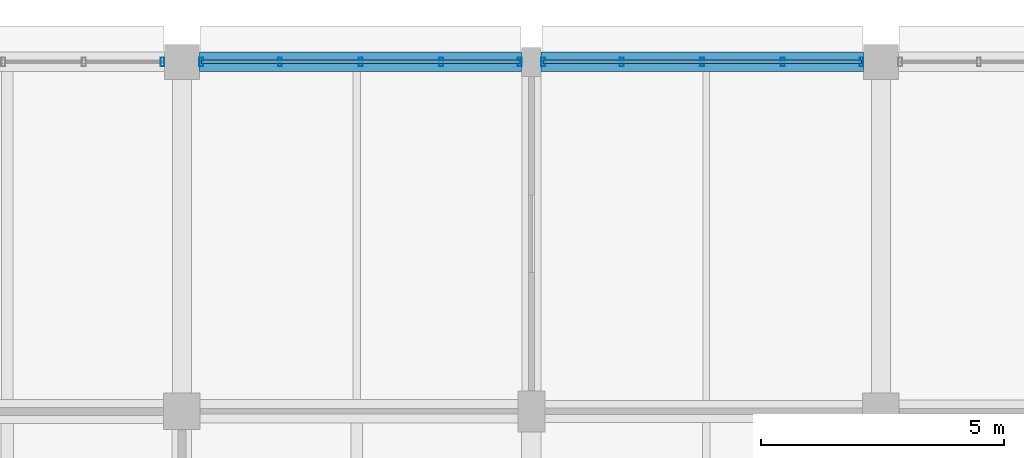
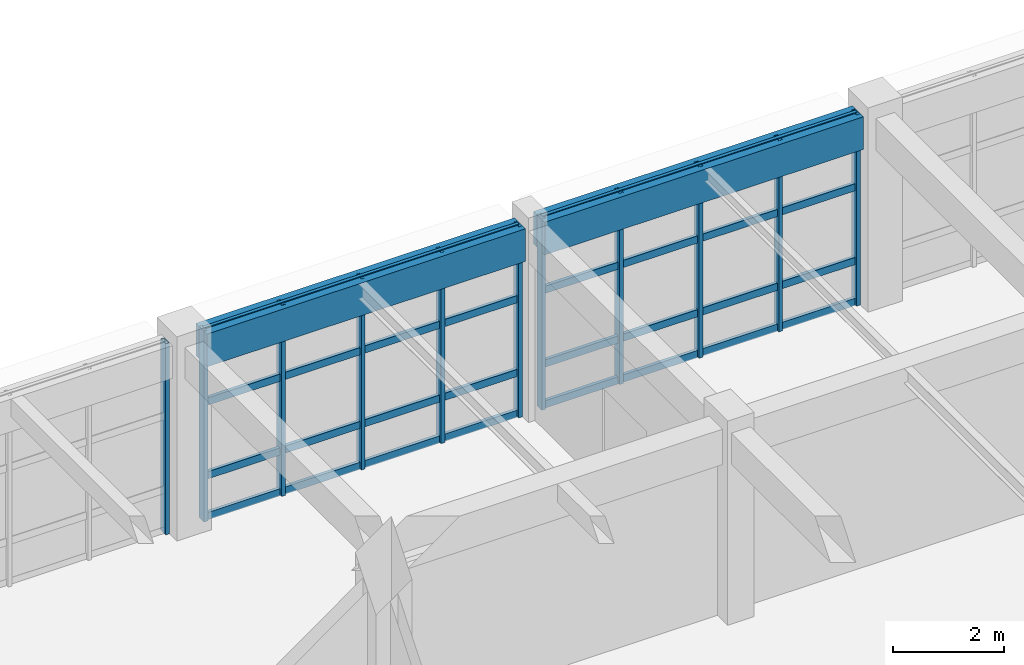
# One storey, part 79 of 171: 19 members, 2 beams, 3 elements without a shape of their own.
"""IFC4 building model written with IfcOpenShell, lengths in metres."""

import ifcopenshell
import ifcopenshell.guid

model = None  # the IFC model being written
_history = None  # IfcOwnerHistory: only IFC2X3 demands one
_inside = {}  # id of a spatial element -> (the spatial element, [elements in it])
_under = {}  # id of a project, library or spatial element -> (it, [spatial elements below it])
_declared = {}  # id of a project -> (the project, [libraries it declares])
_typed = {}  # id of a type object -> (the type object, [elements of that type])
_made_of = {}  # id of a material, layer set ... -> (it, [elements and type objects made of it])


def new_model(schema):
    """Start an empty IFC model of exactly this schema.

    Asked for "IFC4X3", IfcOpenShell would pick the latest addendum, in which some entities
    have other attributes; the version numbers below select the first issue.
    IFC2X3 requires an IfcOwnerHistory on every rooted entity: one is made here for all.
    """
    global model, _history
    if schema == "IFC4X3":
        model = ifcopenshell.file(schema_version=(4, 3, 0, 0))
    else:
        model = ifcopenshell.file(schema=schema)
    _inside.clear()
    _under.clear()
    _declared.clear()
    _typed.clear()
    _made_of.clear()
    _history = None
    if model.schema == "IFC2X3":
        org = make("IfcOrganization", Name="unknown")
        user = make(
            "IfcPersonAndOrganization",
            ThePerson=make("IfcPerson", FamilyName="unknown"),
            TheOrganization=org,
        )
        app = make(
            "IfcApplication",
            ApplicationDeveloper=org,
            Version="unknown",
            ApplicationFullName="unknown",
            ApplicationIdentifier="unknown",
        )
        _history = make(
            "IfcOwnerHistory",
            OwningUser=user,
            OwningApplication=app,
            ChangeAction="ADDED",
            CreationDate=0,
        )
    return model


def make(cls, **values):
    """One entity of the class cls with the attributes given. An attribute that is None is left unset."""
    return model.create_entity(
        cls, **{name: value for name, value in values.items() if value is not None}
    )


def rooted(cls, **values):
    """An entity with a GlobalId (a new one), such as an element, a storey or a relation."""
    return make(cls, GlobalId=ifcopenshell.guid.new(), OwnerHistory=_history, **values)


def si_unit(unit_type, name, prefix=None):
    """IfcSIUnit, for example si_unit("LENGTHUNIT", "METRE", prefix="MILLI")."""
    return make("IfcSIUnit", UnitType=unit_type, Prefix=prefix, Name=name)


def assignment(units):
    """IfcUnitAssignment: the units of a project."""
    return None if units is None else make("IfcUnitAssignment", Units=units)


def point(xyz):
    """IfcCartesianPoint."""
    return None if xyz is None else make("IfcCartesianPoint", Coordinates=xyz)


def direction(xyz):
    """IfcDirection."""
    return None if xyz is None else make("IfcDirection", DirectionRatios=xyz)


def frame(location, z_axis=None, x_axis=None):
    """IfcAxis2Placement3D, a coordinate frame: its origin and axes. An axis left out is left unset."""
    return make(
        "IfcAxis2Placement3D",
        Location=point(location),
        Axis=direction(z_axis),
        RefDirection=direction(x_axis),
    )


def frame_2d(location, x_axis=None):
    """IfcAxis2Placement2D, a coordinate frame in the plane: its origin and x axis."""
    return make(
        "IfcAxis2Placement2D", Location=point(location), RefDirection=direction(x_axis)
    )


def origin():
    """The frame at (0, 0, 0) with its axes left unset."""
    return frame((0.0, 0.0, 0.0))


def origin_2d():
    """The frame at (0, 0) in the plane with its x axis left unset."""
    return frame_2d((0.0, 0.0))


def place(relative_to, where):
    """IfcLocalPlacement: puts the frame where relative to a parent placement (None: the world)."""
    return make(
        "IfcLocalPlacement", PlacementRelTo=relative_to, RelativePlacement=where
    )


def context(
    kind, dimensions, precision=None, world=None, true_north=None, identifier=None
):
    """IfcGeometricRepresentationContext, for example the 3D "Model" context."""
    return make(
        "IfcGeometricRepresentationContext",
        ContextIdentifier=identifier,
        ContextType=kind,
        CoordinateSpaceDimension=dimensions,
        Precision=precision,
        WorldCoordinateSystem=world,
        TrueNorth=true_north,
    )


def subcontext(parent, identifier, kind, view, scale=None):
    """IfcGeometricRepresentationSubContext, for example "Body" below "Model"."""
    return make(
        "IfcGeometricRepresentationSubContext",
        ContextIdentifier=identifier,
        ContextType=kind,
        ParentContext=parent,
        TargetScale=scale,
        TargetView=view,
    )


def project(units=None, contexts=None):
    """IfcProject with its units and contexts."""
    return rooted(
        "IfcProject",
        Name="project",
        RepresentationContexts=contexts,
        UnitsInContext=assignment(units),
    )


def spatial(cls, under=None, at=None, **own):
    """A site, building, storey or space (cls), placed at a placement, below another one or the project."""
    s = rooted(cls, ObjectPlacement=at, **own)
    if under is not None:
        _under.setdefault(under.id(), (under, []))[1].append(s)
    return s


def profile(cls, at=None, kind="AREA", **sizes):
    """A parametric profile (cls). Its sizes go by their IFC names, for example OverallWidth=200.0."""
    return make(cls, ProfileType=kind, Position=at, **sizes)


def rectangle(**sizes):
    """IfcRectangleProfileDef."""
    return profile("IfcRectangleProfileDef", **sizes)


def hollow_rectangle(**sizes):
    """IfcRectangleHollowProfileDef."""
    return profile("IfcRectangleHollowProfileDef", **sizes)


def extrude(swept, where, along, depth):
    """IfcExtrudedAreaSolid: the profile swept, set in the frame where, extruded along a direction by depth."""
    return make(
        "IfcExtrudedAreaSolid",
        SweptArea=swept,
        Position=where,
        ExtrudedDirection=direction(along),
        Depth=depth,
    )


def shape(context_of_items, identifier, shape_type, items):
    """IfcShapeRepresentation: the items that make up one representation, for example the "Body"."""
    return make(
        "IfcShapeRepresentation",
        ContextOfItems=context_of_items,
        RepresentationIdentifier=identifier,
        RepresentationType=shape_type,
        Items=items,
    )


def material(Name=None, Category=None):
    """IfcMaterial."""
    return make("IfcMaterial", Name=Name, Category=Category)


def material_profile(
    of_material, cross_section, Name=None, Category=None, Priority=None
):
    """IfcMaterialProfile: a cross section and its material."""
    return make(
        "IfcMaterialProfile",
        Name=Name,
        Material=of_material,
        Profile=cross_section,
        Priority=Priority,
        Category=Category,
    )


def profile_set(profiles, Name=None, composite=None):
    """IfcMaterialProfileSet."""
    return make(
        "IfcMaterialProfileSet",
        Name=Name,
        MaterialProfiles=profiles,
        CompositeProfile=composite,
    )


def made_of(thing, what):
    """Note that an element or type object is made of a material, layer set ...; save() writes the relation."""
    if what is not None:
        _made_of.setdefault(what.id(), (what, []))[1].append(thing)
    return thing


def type_object(cls, material=None, **own):
    """A type object (cls), such as IfcWallType, which elements share."""
    return made_of(rooted(cls, **own), material)


def element(
    cls,
    number,
    at=None,
    inside=None,
    cuts=None,
    type_object=None,
    material=None,
    context=None,
    identifier="Body",
    shape_type=None,
    held_by="IfcProductDefinitionShape",
    body=None,
    shapes=None,
    **own,
):
    """One element of the class cls, such as IfcWall. Its Tag is "e" and its number.

    at: its placement. inside: the storey or other place that contains it. cuts: it is an
    opening in that element (IfcRelVoidsElement). A single representation is given by context,
    identifier, shape_type and body (its items); several are given by shapes. held_by: the class
    of the entity that holds the representations. save() writes the other relations.
    """
    e = rooted(cls, Tag="e%d" % number, ObjectPlacement=at, **own)
    if body is not None:
        shapes = [shape(context, identifier, shape_type, body)]
    if shapes is not None:
        e.Representation = make(held_by, Representations=shapes)
    if inside is not None:
        _inside.setdefault(inside.id(), (inside, []))[1].append(e)
    if cuts is not None:
        rooted(
            "IfcRelVoidsElement", RelatingBuildingElement=cuts, RelatedOpeningElement=e
        )
    if type_object is not None:
        _typed.setdefault(type_object.id(), (type_object, []))[1].append(e)
    return made_of(e, material)


def aggregate(whole, parts):
    """IfcRelAggregates: a whole, such as a stair, and the parts it consists of."""
    return rooted("IfcRelAggregates", RelatingObject=whole, RelatedObjects=parts)


def save(model, path):
    """Write the relations noted so far, then the file.

    IfcRelAggregates (storeys below a building ...), IfcRelContainedInSpatialStructure (elements
    in a storey), IfcRelDefinesByType, IfcRelAssociatesMaterial and IfcRelDeclares: one each for
    every whole, place, type object, material and project.
    """
    for whole, parts in _under.values():
        aggregate(whole, parts)
    for where, things in _inside.values():
        rooted(
            "IfcRelContainedInSpatialStructure",
            RelatedElements=things,
            RelatingStructure=where,
        )
    for kind, things in _typed.values():
        rooted("IfcRelDefinesByType", RelatedObjects=things, RelatingType=kind)
    for what, things in _made_of.values():
        rooted("IfcRelAssociatesMaterial", RelatedObjects=things, RelatingMaterial=what)
    for by, libraries in _declared.values():
        rooted("IfcRelDeclares", RelatingContext=by, RelatedDefinitions=libraries)
    model.write(path)


model = new_model("IFC4")

# Units and contexts
model_context = context("Model", 3, precision=1e-05, world=origin(), true_north=direction((0.0, 1.0)))
body_context = subcontext(model_context, "Body", "Model", "MODEL_VIEW")
ifc_project = project(units=[si_unit("LENGTHUNIT", "METRE"), si_unit("AREAUNIT", "SQUARE_METRE"), si_unit("VOLUMEUNIT", "CUBIC_METRE"), si_unit("PLANEANGLEUNIT", "RADIAN"), si_unit("MASSUNIT", "GRAM", prefix="KILO")], contexts=[model_context])

# Site, building, storey
site_placement = place(None, origin())
site = spatial("IfcSite", under=ifc_project, at=site_placement, CompositionType="ELEMENT")
building_placement = place(site_placement, origin())
building = spatial("IfcBuilding", under=site, at=building_placement, Name="Thalmaran Polytechnic", CompositionType="ELEMENT")
storey_placement = place(building_placement, frame((0.0, 0.0, 5.39990234375)))
storey = spatial("IfcBuildingStorey", under=building, at=storey_placement, Name="L01", CompositionType="ELEMENT", Elevation=5.39990234375)

# Beams
ifc_material_1 = material(Name="Concrete C40/50", Category="concrete")
ifc_material_profile_1 = material_profile(ifc_material_1, rectangle(XDim=0.39990234375, YDim=0.719970703125, at=origin_2d()), Name="RC 400x720")
ifc_profile_set_1 = profile_set([ifc_material_profile_1], Name="Concrete C40/50")
beam_type = type_object("IfcBeamType", Name="BM-SP01", PredefinedType="SPANDREL", material=ifc_profile_set_1)
for number, where, z_axis, x_axis, name in (
    (1, (65.159912109375, 122.39990234375, 3.85009765625), (1.0, 0.0, 0.0), (0.0, 1.0, 0.0), "Grid Beam SP01 L01 X(9,17)"),
    (2, (72.199951171875, 122.39990234375, 3.85009765625), (1.0, 0.0, 0.0), (0.0, 1.0, 0.0), "Grid Beam SP01 L01 X(10,17)"),
):
    element("IfcBeam", number, at=place(storey_placement, frame(where, z_axis=z_axis, x_axis=x_axis)), inside=storey, type_object=beam_type, Name=name, PredefinedType="SPANDREL", context=body_context, shape_type="SweptSolid", body=[
        extrude(rectangle(XDim=0.39990234375, YDim=0.719970703125, at=origin_2d()), origin(), (0.0, 0.0, 1.0), 6.64013671875),
    ])

# Curtain wall, member
ifc_material_2 = material(Name="Aluminium 6063-T6", Category="aluminium")
curtain_wall_type = type_object("IfcCurtainWallType", Name="CW-UC02", PredefinedType="USERDEFINED", material=ifc_material_2)
curtain_wall_1_placement = place(storey_placement, origin())
curtain_wall_1 = element("IfcCurtainWall", 3, at=curtain_wall_1_placement, inside=storey, type_object=curtain_wall_type, Name="Curtain Wall CW-L01-087", ObjectType="UNITISED CURTAIN WALL", PredefinedType="USERDEFINED")
ifc_material_profile_2 = material_profile(ifc_material_2, hollow_rectangle(XDim=0.080078125, YDim=0.179931640625, WallThickness=0.0048828125, at=origin_2d()), Name="RHS 180x80x5.0")
ifc_profile_set_2 = profile_set([ifc_material_profile_2], Name="Aluminium 6063-T6")
member_type_1 = type_object("IfcMemberType", Name="CW-MUL1", PredefinedType="MULLION", material=ifc_profile_set_2)
member_1_placement = place(storey_placement, frame((64.39990234375, 122.39990234375, 0.0), z_axis=(0.0, 0.0, 1.0), x_axis=(1.0, 0.0, 0.0)))
member_1 = element("IfcMember", 4, at=member_1_placement, type_object=member_type_1, Name="CW-L01-087 Mullion 5", PredefinedType="MULLION", context=body_context, shape_type="SweptSolid", body=[
    extrude(hollow_rectangle(XDim=0.080078125, YDim=0.179931640625, WallThickness=0.0048828125, at=origin_2d()), origin(), (0.0, 0.0, 1.0), 4.210205078125),
])
aggregate(curtain_wall_1, [member_1])

# Curtain wall, members
curtain_wall_2_placement = place(storey_placement, origin())
curtain_wall_2 = element("IfcCurtainWall", 5, at=curtain_wall_2_placement, inside=storey, type_object=curtain_wall_type, Name="Curtain Wall CW-L01-088", ObjectType="UNITISED CURTAIN WALL", PredefinedType="USERDEFINED")
member_2_placement = place(storey_placement, frame((65.199951171875, 122.39990234375, 0.0), z_axis=(0.0, 0.0, 1.0), x_axis=(1.0, 0.0, 0.0)))
member_2 = element("IfcMember", 6, at=member_2_placement, type_object=member_type_1, Name="CW-L01-088 Mullion 1", PredefinedType="MULLION", context=body_context, shape_type="SweptSolid", body=[
    extrude(hollow_rectangle(XDim=0.080078125, YDim=0.179931640625, WallThickness=0.0048828125, at=origin_2d()), origin(), (0.0, 0.0, 1.0), 4.210205078125),
])
member_3_placement = place(storey_placement, frame((66.820068359375, 122.39990234375, 0.0), z_axis=(0.0, 0.0, 1.0), x_axis=(1.0, 0.0, 0.0)))
member_3 = element("IfcMember", 7, at=member_3_placement, type_object=member_type_1, Name="CW-L01-088 Mullion 2", PredefinedType="MULLION", context=body_context, shape_type="SweptSolid", body=[
    extrude(hollow_rectangle(XDim=0.080078125, YDim=0.179931640625, WallThickness=0.0048828125, at=origin_2d()), origin(), (0.0, 0.0, 1.0), 4.210205078125),
])
member_4_placement = place(storey_placement, frame((68.47998046875, 122.39990234375, 0.0), z_axis=(0.0, 0.0, 1.0), x_axis=(1.0, 0.0, 0.0)))
member_4 = element("IfcMember", 8, at=member_4_placement, type_object=member_type_1, Name="CW-L01-088 Mullion 3", PredefinedType="MULLION", context=body_context, shape_type="SweptSolid", body=[
    extrude(hollow_rectangle(XDim=0.080078125, YDim=0.179931640625, WallThickness=0.0048828125, at=origin_2d()), origin(), (0.0, 0.0, 1.0), 4.210205078125),
])
member_5_placement = place(storey_placement, frame((70.139892578125, 122.39990234375, 0.0), z_axis=(0.0, 0.0, 1.0), x_axis=(1.0, 0.0, 0.0)))
member_5 = element("IfcMember", 9, at=member_5_placement, type_object=member_type_1, Name="CW-L01-088 Mullion 4", PredefinedType="MULLION", context=body_context, shape_type="SweptSolid", body=[
    extrude(hollow_rectangle(XDim=0.080078125, YDim=0.179931640625, WallThickness=0.0048828125, at=origin_2d()), origin(), (0.0, 0.0, 1.0), 4.210205078125),
])
member_6_placement = place(storey_placement, frame((71.760009765625, 122.39990234375, 0.0), z_axis=(0.0, 0.0, 1.0), x_axis=(1.0, 0.0, 0.0)))
member_6 = element("IfcMember", 10, at=member_6_placement, type_object=member_type_1, Name="CW-L01-088 Mullion 5", PredefinedType="MULLION", context=body_context, shape_type="SweptSolid", body=[
    extrude(hollow_rectangle(XDim=0.080078125, YDim=0.179931640625, WallThickness=0.0048828125, at=origin_2d()), origin(), (0.0, 0.0, 1.0), 4.210205078125),
])

curtain_wall_3_placement = place(storey_placement, origin())
curtain_wall_3 = element("IfcCurtainWall", 11, at=curtain_wall_3_placement, inside=storey, type_object=curtain_wall_type, Name="Curtain Wall CW-L01-089", ObjectType="UNITISED CURTAIN WALL", PredefinedType="USERDEFINED")
member_7_placement = place(storey_placement, frame((72.239990234375, 122.39990234375, 0.0), z_axis=(0.0, 0.0, 1.0), x_axis=(1.0, 0.0, 0.0)))
member_7 = element("IfcMember", 12, at=member_7_placement, type_object=member_type_1, Name="CW-L01-089 Mullion 1", PredefinedType="MULLION", context=body_context, shape_type="SweptSolid", body=[
    extrude(hollow_rectangle(XDim=0.080078125, YDim=0.179931640625, WallThickness=0.0048828125, at=origin_2d()), origin(), (0.0, 0.0, 1.0), 4.210205078125),
])
member_8_placement = place(storey_placement, frame((73.860107421875, 122.39990234375, 0.0), z_axis=(0.0, 0.0, 1.0), x_axis=(1.0, 0.0, 0.0)))
member_8 = element("IfcMember", 13, at=member_8_placement, type_object=member_type_1, Name="CW-L01-089 Mullion 2", PredefinedType="MULLION", context=body_context, shape_type="SweptSolid", body=[
    extrude(hollow_rectangle(XDim=0.080078125, YDim=0.179931640625, WallThickness=0.0048828125, at=origin_2d()), origin(), (0.0, 0.0, 1.0), 4.210205078125),
])
member_9_placement = place(storey_placement, frame((75.52001953125, 122.39990234375, 0.0), z_axis=(0.0, 0.0, 1.0), x_axis=(1.0, 0.0, 0.0)))
member_9 = element("IfcMember", 14, at=member_9_placement, type_object=member_type_1, Name="CW-L01-089 Mullion 3", PredefinedType="MULLION", context=body_context, shape_type="SweptSolid", body=[
    extrude(hollow_rectangle(XDim=0.080078125, YDim=0.179931640625, WallThickness=0.0048828125, at=origin_2d()), origin(), (0.0, 0.0, 1.0), 4.210205078125),
])
member_10_placement = place(storey_placement, frame((77.179931640625, 122.39990234375, 0.0), z_axis=(0.0, 0.0, 1.0), x_axis=(1.0, 0.0, 0.0)))
member_10 = element("IfcMember", 15, at=member_10_placement, type_object=member_type_1, Name="CW-L01-089 Mullion 4", PredefinedType="MULLION", context=body_context, shape_type="SweptSolid", body=[
    extrude(hollow_rectangle(XDim=0.080078125, YDim=0.179931640625, WallThickness=0.0048828125, at=origin_2d()), origin(), (0.0, 0.0, 1.0), 4.210205078125),
])
member_11_placement = place(storey_placement, frame((78.800048828125, 122.39990234375, 0.0), z_axis=(0.0, 0.0, 1.0), x_axis=(1.0, 0.0, 0.0)))
member_11 = element("IfcMember", 16, at=member_11_placement, type_object=member_type_1, Name="CW-L01-089 Mullion 5", PredefinedType="MULLION", context=body_context, shape_type="SweptSolid", body=[
    extrude(hollow_rectangle(XDim=0.080078125, YDim=0.179931640625, WallThickness=0.0048828125, at=origin_2d()), origin(), (0.0, 0.0, 1.0), 4.210205078125),
])

# Member
ifc_material_profile_3 = material_profile(ifc_material_2, hollow_rectangle(XDim=0.070068359375, YDim=0.159912109375, WallThickness=0.00390625, at=origin_2d()), Name="AL 160x70x4.0")
ifc_profile_set_3 = profile_set([ifc_material_profile_3], Name="Aluminium 6063-T6")
member_type_2 = type_object("IfcMemberType", Name="CW-TRN1", PredefinedType="USERDEFINED", material=ifc_profile_set_3)
member_12_placement = place(storey_placement, frame((65.199951171875, 122.39990234375, 0.06005859375), z_axis=(1.0, 0.0, 0.0), x_axis=(0.0, 1.0, 0.0)))
member_12 = element("IfcMember", 17, at=member_12_placement, type_object=member_type_2, Name="CW-L01-088 Transom 1", ObjectType="TRANSOM", PredefinedType="USERDEFINED", context=body_context, shape_type="SweptSolid", body=[
    extrude(hollow_rectangle(XDim=0.070068359375, YDim=0.159912109375, WallThickness=0.00390625, at=origin_2d()), origin(), (0.0, 0.0, 1.0), 6.56005859375),
])

member_13_placement = place(storey_placement, frame((65.199951171875, 122.39990234375, 0.960205078125), z_axis=(1.0, 0.0, 0.0), x_axis=(0.0, 1.0, 0.0)))
member_13 = element("IfcMember", 18, at=member_13_placement, type_object=member_type_2, Name="CW-L01-088 Transom 2", ObjectType="TRANSOM", PredefinedType="USERDEFINED", context=body_context, shape_type="SweptSolid", body=[
    extrude(hollow_rectangle(XDim=0.070068359375, YDim=0.159912109375, WallThickness=0.00390625, at=origin_2d()), origin(), (0.0, 0.0, 1.0), 6.56005859375),
])

member_14_placement = place(storey_placement, frame((65.199951171875, 122.39990234375, 2.585205078125), z_axis=(1.0, 0.0, 0.0), x_axis=(0.0, 1.0, 0.0)))
member_14 = element("IfcMember", 19, at=member_14_placement, type_object=member_type_2, Name="CW-L01-088 Transom 3", ObjectType="TRANSOM", PredefinedType="USERDEFINED", context=body_context, shape_type="SweptSolid", body=[
    extrude(hollow_rectangle(XDim=0.070068359375, YDim=0.159912109375, WallThickness=0.00390625, at=origin_2d()), origin(), (0.0, 0.0, 1.0), 6.56005859375),
])

member_15_placement = place(storey_placement, frame((65.199951171875, 122.39990234375, 4.150146484375), z_axis=(1.0, 0.0, 0.0), x_axis=(0.0, 1.0, 0.0)))
member_15 = element("IfcMember", 20, at=member_15_placement, type_object=member_type_2, Name="CW-L01-088 Transom 4", ObjectType="TRANSOM", PredefinedType="USERDEFINED", context=body_context, shape_type="SweptSolid", body=[
    extrude(hollow_rectangle(XDim=0.070068359375, YDim=0.159912109375, WallThickness=0.00390625, at=origin_2d()), origin(), (0.0, 0.0, 1.0), 6.56005859375),
])

aggregate(curtain_wall_2, [member_2, member_3, member_4, member_5, member_6, member_12, member_13, member_14, member_15])

member_16_placement = place(storey_placement, frame((72.239990234375, 122.39990234375, 0.06005859375), z_axis=(1.0, 0.0, 0.0), x_axis=(0.0, 1.0, 0.0)))
member_16 = element("IfcMember", 21, at=member_16_placement, type_object=member_type_2, Name="CW-L01-089 Transom 1", ObjectType="TRANSOM", PredefinedType="USERDEFINED", context=body_context, shape_type="SweptSolid", body=[
    extrude(hollow_rectangle(XDim=0.070068359375, YDim=0.159912109375, WallThickness=0.00390625, at=origin_2d()), origin(), (0.0, 0.0, 1.0), 6.56005859375),
])

member_17_placement = place(storey_placement, frame((72.239990234375, 122.39990234375, 0.960205078125), z_axis=(1.0, 0.0, 0.0), x_axis=(0.0, 1.0, 0.0)))
member_17 = element("IfcMember", 22, at=member_17_placement, type_object=member_type_2, Name="CW-L01-089 Transom 2", ObjectType="TRANSOM", PredefinedType="USERDEFINED", context=body_context, shape_type="SweptSolid", body=[
    extrude(hollow_rectangle(XDim=0.070068359375, YDim=0.159912109375, WallThickness=0.00390625, at=origin_2d()), origin(), (0.0, 0.0, 1.0), 6.56005859375),
])

member_18_placement = place(storey_placement, frame((72.239990234375, 122.39990234375, 2.585205078125), z_axis=(1.0, 0.0, 0.0), x_axis=(0.0, 1.0, 0.0)))
member_18 = element("IfcMember", 23, at=member_18_placement, type_object=member_type_2, Name="CW-L01-089 Transom 3", ObjectType="TRANSOM", PredefinedType="USERDEFINED", context=body_context, shape_type="SweptSolid", body=[
    extrude(hollow_rectangle(XDim=0.070068359375, YDim=0.159912109375, WallThickness=0.00390625, at=origin_2d()), origin(), (0.0, 0.0, 1.0), 6.56005859375),
])

member_19_placement = place(storey_placement, frame((72.239990234375, 122.39990234375, 4.150146484375), z_axis=(1.0, 0.0, 0.0), x_axis=(0.0, 1.0, 0.0)))
member_19 = element("IfcMember", 24, at=member_19_placement, type_object=member_type_2, Name="CW-L01-089 Transom 4", ObjectType="TRANSOM", PredefinedType="USERDEFINED", context=body_context, shape_type="SweptSolid", body=[
    extrude(hollow_rectangle(XDim=0.070068359375, YDim=0.159912109375, WallThickness=0.00390625, at=origin_2d()), origin(), (0.0, 0.0, 1.0), 6.56005859375),
])

aggregate(curtain_wall_3, [member_7, member_8, member_9, member_10, member_11, member_16, member_17, member_18, member_19])

save(model, "model.ifc")
